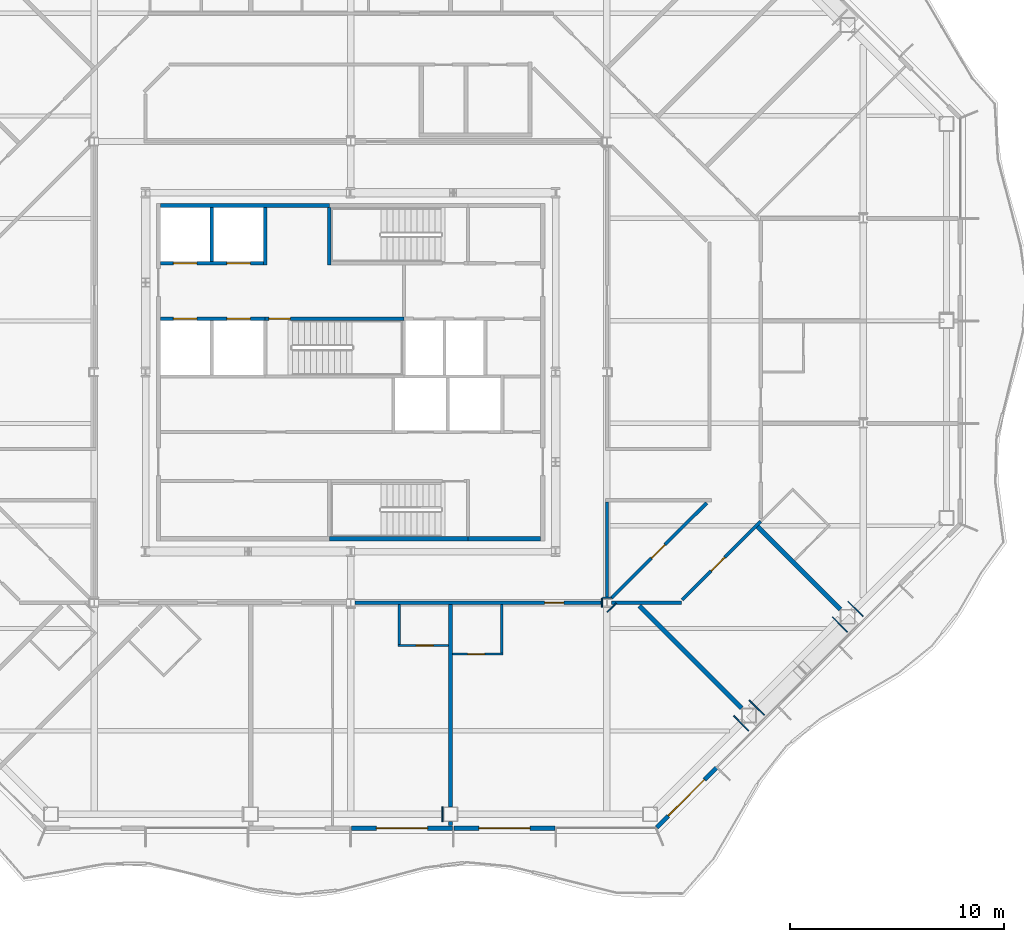
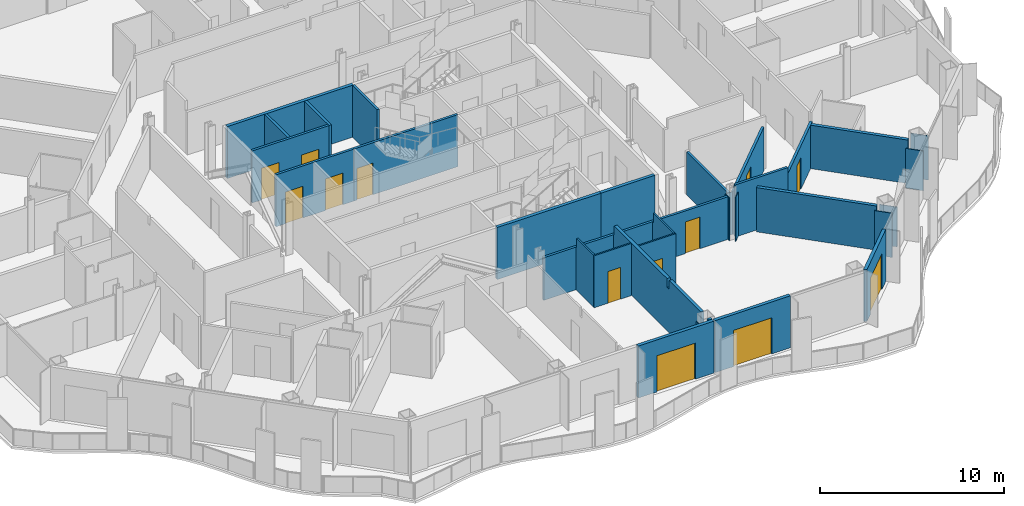
# One storey, part 9 of 22: 33 walls, 13 doors, 13 openings.
"""IFC4 building model written with IfcOpenShell, lengths in metres."""

from ifc_helpers import new_model, si_unit, direction, frame, frame_2d, origin, place, context, subcontext, project, spatial, polyline, rectangle, outline, extrude, material, layer, layer_set, type_object, element, fill, save


model = new_model("IFC4")

# Units and contexts
model_context = context("Model", 3, precision=1e-05, world=origin(), true_north=direction((0.0, 1.0)))
body_context = subcontext(model_context, "Body", "Model", "MODEL_VIEW")
ifc_project = project(units=[si_unit("LENGTHUNIT", "METRE"), si_unit("AREAUNIT", "SQUARE_METRE"), si_unit("VOLUMEUNIT", "CUBIC_METRE"), si_unit("PLANEANGLEUNIT", "RADIAN"), si_unit("MASSUNIT", "GRAM", prefix="KILO")], contexts=[model_context])

# Site, building, storey
site_placement = place(None, origin())
site = spatial("IfcSite", under=ifc_project, at=site_placement, CompositionType="ELEMENT")
building_placement = place(site_placement, origin())
building = spatial("IfcBuilding", under=site, at=building_placement, Name="Cairn Pilgrim Tower", CompositionType="ELEMENT")
storey_placement = place(building_placement, frame((0.0, 0.0, 147.0)))
storey = spatial("IfcBuildingStorey", under=building, at=storey_placement, Name="L36", CompositionType="ELEMENT", Elevation=147.0)

# Wall, opening, door
ifc_material_1 = material(Name="Bronze anodised aluminium insulated sandwich panel with mineral wool fill", Category="aluminium")
ifc_layer_1 = layer(ifc_material_1, 0.199951171875)
ifc_layer_set_1 = layer_set([ifc_layer_1], Name="BRONZE INFILL FRAME WALL 200")
wall_type_1 = type_object("IfcWallType", Name="BRONZE INFILL FRAME WALL 200", PredefinedType="NOTDEFINED", material=ifc_layer_set_1)
wall_1_placement = place(storey_placement, frame((7.22998046875, -18.949951171875, 0.0), z_axis=(0.0, 0.0, 1.0), x_axis=(1.0, 0.0, 0.0)))
wall_1 = element("IfcWall", 1, at=wall_1_placement, inside=storey, type_object=wall_type_1, Name="Bronze infill frame wall IW-S4", PredefinedType="NOTDEFINED", context=body_context, shape_type="SweptSolid", body=[
    extrude(rectangle(XDim=4.739990234375, YDim=0.199951171875, at=frame_2d((2.3701171875, 0.0))), origin(), (0.0, 0.0, 1.0), 3.449951171875),
])
opening_1_placement = place(wall_1_placement, frame((1.17041015625, 0.0, 0.0)))
opening_1 = element("IfcOpeningElement", 2, at=opening_1_placement, cuts=wall_1, Name="Opening 3620SB", PredefinedType="OPENING", context=body_context, shape_type="SweptSolid", body=[
    extrude(rectangle(XDim=2.39990234375, YDim=2.39990234375, at=frame_2d((1.199951171875, 1.199951171875))), frame((0.0, 0.10986328125, 0.0), z_axis=(0.0, -1.0, 0.0), x_axis=(1.0, 0.0, 0.0)), (0.0, 0.0, 1.0), 0.219970703125),
])
ifc_material_2 = material(Name="Bronze anodised aluminium frame with tinted low-E glass", Category="aluminium")
door_type_1 = type_object("IfcDoorType", Name="BALCONY SLIDING DOOR 2400x2400", OperationType="DOUBLE_DOOR_SLIDING", PredefinedType="DOOR", material=ifc_material_2)
door_1_placement = place(opening_1_placement, origin())
door_1 = element("IfcDoor", 3, at=door_1_placement, inside=storey, type_object=door_type_1, Name="Balcony sliding door 3620SB", OperationType="SINGLE_SWING_LEFT", OverallHeight=2.39990234375, OverallWidth=2.39990234375, PredefinedType="DOOR", context=body_context, shape_type="SweptSolid", body=[
    extrude(rectangle(XDim=2.39990234375, YDim=2.39990234375, at=frame_2d((1.199951171875, 1.199951171875))), frame((0.0, 0.02490234375, 0.0), z_axis=(0.0, -1.0, 0.0), x_axis=(1.0, 0.0, 0.0)), (0.0, 0.0, 1.0), 0.050048828125),
])
fill(opening_1, door_1)

wall_2_placement = place(storey_placement, frame((12.030029296875, -18.949951171875, 0.0), z_axis=(0.0, 0.0, 1.0), x_axis=(1.0, 0.0, 0.0)))
wall_2 = element("IfcWall", 4, at=wall_2_placement, inside=storey, type_object=wall_type_1, Name="Bronze infill frame wall IW-S5", PredefinedType="NOTDEFINED", context=body_context, shape_type="SweptSolid", body=[
    extrude(rectangle(XDim=4.739990234375, YDim=0.199951171875, at=frame_2d((2.3701171875, 0.0))), origin(), (0.0, 0.0, 1.0), 3.449951171875),
])
opening_2_placement = place(wall_2_placement, frame((1.169677734375, 0.0, 0.0)))
opening_2 = element("IfcOpeningElement", 5, at=opening_2_placement, cuts=wall_2, Name="Opening 3601B", PredefinedType="OPENING", context=body_context, shape_type="SweptSolid", body=[
    extrude(rectangle(XDim=2.39990234375, YDim=2.39990234375, at=frame_2d((1.199951171875, 1.199951171875))), frame((0.0, 0.10986328125, 0.0), z_axis=(0.0, -1.0, 0.0), x_axis=(1.0, 0.0, 0.0)), (0.0, 0.0, 1.0), 0.219970703125),
])
door_2_placement = place(opening_2_placement, origin())
door_2 = element("IfcDoor", 6, at=door_2_placement, inside=storey, type_object=door_type_1, Name="Balcony sliding door 3601B", OperationType="SINGLE_SWING_LEFT", OverallHeight=2.39990234375, OverallWidth=2.39990234375, PredefinedType="DOOR", context=body_context, shape_type="SweptSolid", body=[
    extrude(rectangle(XDim=2.39990234375, YDim=2.39990234375, at=frame_2d((1.199951171875, 1.199951171875))), frame((0.0, 0.02490234375, 0.0), z_axis=(0.0, -1.0, 0.0), x_axis=(1.0, 0.0, 0.0)), (0.0, 0.0, 1.0), 0.050048828125),
])
fill(opening_2, door_2)

wall_3_placement = place(storey_placement, frame((21.524658203125, -18.921630859375, 0.0), z_axis=(0.0, 0.0, 1.0), x_axis=(0.707137595296, 0.707075965734, 0.0)))
wall_3 = element("IfcWall", 7, at=wall_3_placement, inside=storey, type_object=wall_type_1, Name="Bronze infill frame wall IW-SE1", PredefinedType="NOTDEFINED", context=body_context, shape_type="SweptSolid", body=[
    extrude(rectangle(XDim=3.96142578125, YDim=0.199951171875, at=frame_2d((1.980712890625, 0.0))), origin(), (0.0, 0.0, 1.0), 3.449951171875),
])
opening_3_placement = place(wall_3_placement, frame((0.775390625, 0.0, 0.0)))
opening_3 = element("IfcOpeningElement", 8, at=opening_3_placement, cuts=wall_3, Name="Opening 3601B2", PredefinedType="OPENING", context=body_context, shape_type="SweptSolid", body=[
    extrude(rectangle(XDim=2.39990234375, YDim=2.39990234375, at=frame_2d((1.199951171875, 1.199951171875))), frame((0.0, 0.10986328125, 0.0), z_axis=(0.0, -1.0, 0.0), x_axis=(1.0, 0.0, 0.0)), (0.0, 0.0, 1.0), 0.219970703125),
])
door_3_placement = place(opening_3_placement, origin())
door_3 = element("IfcDoor", 9, at=door_3_placement, inside=storey, type_object=door_type_1, Name="Balcony sliding door 3601B2", OperationType="SINGLE_SWING_LEFT", OverallHeight=2.39990234375, OverallWidth=2.39990234375, PredefinedType="DOOR", context=body_context, shape_type="SweptSolid", body=[
    extrude(rectangle(XDim=2.39990234375, YDim=2.39990234375, at=frame_2d((1.199951171875, 1.199951171875))), frame((0.0, 0.02490234375, 0.0), z_axis=(0.0, -1.0, 0.0), x_axis=(1.0, 0.0, 0.0)), (0.0, 0.0, 1.0), 0.050048828125),
])
fill(opening_3, door_3)

# Walls
ifc_material_3 = material(Name="Concrete C32/40", Category="concrete")
ifc_layer_2 = layer(ifc_material_3, 0.199951171875)
ifc_layer_set_2 = layer_set([ifc_layer_2], Name="CORE OUTER WALL 200 EI 120")
wall_type_2 = type_object("IfcWallType", Name="CORE OUTER WALL 200 EI 120", PredefinedType="SOLIDWALL", material=ifc_layer_set_2)
wall_4_placement = place(storey_placement, frame((12.699951171875, -5.39990234375, 0.0), z_axis=(0.0, 0.0, 1.0), x_axis=(1.0, 0.0, 0.0)))
element("IfcWall", 10, at=wall_4_placement, inside=storey, type_object=wall_type_2, Name="CW:L36:H01-3", PredefinedType="SOLIDWALL", context=body_context, shape_type="SweptSolid", body=[
    extrude(rectangle(XDim=3.400146484375, YDim=0.199951171875, at=frame_2d((1.7001953125, 0.0))), origin(), (0.0, 0.0, 1.0), 3.449951171875),
])
wall_5_placement = place(storey_placement, frame((-1.699951171875, 10.199951171875, 0.0), z_axis=(0.0, 0.0, 1.0), x_axis=(1.0, 0.0, 0.0)))
element("IfcWall", 11, at=wall_5_placement, inside=storey, type_object=wall_type_2, Name="CW:L36:H12-1", PredefinedType="SOLIDWALL", context=body_context, shape_type="SweptSolid", body=[
    extrude(rectangle(XDim=7.89990234375, YDim=0.199951171875, at=frame_2d((3.949951171875, 0.0))), origin(), (0.0, 0.0, 1.0), 3.449951171875),
])

# Wall, openings, doors
ifc_layer_3 = layer(ifc_material_3, 0.14990234375)
ifc_layer_set_3 = layer_set([ifc_layer_3], Name="CORE SHAFT WALL 150 EI 120")
wall_type_3 = type_object("IfcWallType", Name="CORE SHAFT WALL 150 EI 120", PredefinedType="SOLIDWALL", material=ifc_layer_set_3)
wall_6_placement = place(storey_placement, frame((-1.699951171875, 4.89990234375, 0.0), z_axis=(0.0, 0.0, 1.0), x_axis=(1.0, 0.0, 0.0)))
wall_6 = element("IfcWall", 12, at=wall_6_placement, inside=storey, type_object=wall_type_3, Name="CW:L36:H09-1", PredefinedType="SOLIDWALL", context=body_context, shape_type="SweptSolid", body=[
    extrude(rectangle(XDim=4.89990234375, YDim=0.14990234375, at=frame_2d((2.449951171875, 0.0))), origin(), (0.0, 0.0, 1.0), 3.449951171875),
])
opening_4_placement = place(wall_6_placement, frame((0.60009765625, 0.0, 0.0)))
opening_4 = element("IfcOpeningElement", 13, at=opening_4_placement, cuts=wall_6, Name="Opening LD-HR1", PredefinedType="OPENING", context=body_context, shape_type="SweptSolid", body=[
    extrude(rectangle(XDim=1.10009765625, YDim=2.10009765625, at=frame_2d((0.550048828125, 1.050048828125))), frame((0.0, 0.0849609375, 0.0), z_axis=(0.0, -1.0, 0.0), x_axis=(1.0, 0.0, 0.0)), (0.0, 0.0, 1.0), 0.169921875),
])
opening_5_placement = place(wall_6_placement, frame((3.10009765625, 0.0, 0.0)))
opening_5 = element("IfcOpeningElement", 14, at=opening_5_placement, cuts=wall_6, Name="Opening LD-HR2", PredefinedType="OPENING", context=body_context, shape_type="SweptSolid", body=[
    extrude(rectangle(XDim=1.10009765625, YDim=2.10009765625, at=frame_2d((0.550048828125, 1.050048828125))), frame((0.0, 0.0849609375, 0.0), z_axis=(0.0, -1.0, 0.0), x_axis=(1.0, 0.0, 0.0)), (0.0, 0.0, 1.0), 0.169921875),
])
ifc_material_4 = material(Name="Stainless steel", Category="steel")
door_type_2 = type_object("IfcDoorType", Name="LIFT LANDING DOOR 1100x2100", OperationType="DOUBLE_DOOR_SLIDING", PredefinedType="DOOR", material=ifc_material_4)
door_4_placement = place(opening_4_placement, origin())
door_4 = element("IfcDoor", 15, at=door_4_placement, inside=storey, type_object=door_type_2, Name="LANDING DOOR HR1", OperationType="DOUBLE_DOOR_SLIDING", OverallHeight=2.10009765625, OverallWidth=1.10009765625, PredefinedType="DOOR", context=body_context, shape_type="SweptSolid", body=[
    extrude(rectangle(XDim=1.10009765625, YDim=2.10009765625, at=frame_2d((0.550048828125, 1.050048828125))), frame((0.0, 0.02490234375, 0.0), z_axis=(0.0, -1.0, 0.0), x_axis=(1.0, 0.0, 0.0)), (0.0, 0.0, 1.0), 0.050048828125),
])
fill(opening_4, door_4)
door_5_placement = place(opening_5_placement, origin())
door_5 = element("IfcDoor", 16, at=door_5_placement, inside=storey, type_object=door_type_2, Name="LANDING DOOR HR2", OperationType="DOUBLE_DOOR_SLIDING", OverallHeight=2.10009765625, OverallWidth=1.10009765625, PredefinedType="DOOR", context=body_context, shape_type="SweptSolid", body=[
    extrude(rectangle(XDim=1.10009765625, YDim=2.10009765625, at=frame_2d((0.550048828125, 1.050048828125))), frame((0.0, 0.02490234375, 0.0), z_axis=(0.0, -1.0, 0.0), x_axis=(1.0, 0.0, 0.0)), (0.0, 0.0, 1.0), 0.050048828125),
])
fill(opening_5, door_5)

wall_7_placement = place(storey_placement, frame((-1.699951171875, 7.5, 0.0), z_axis=(0.0, 0.0, 1.0), x_axis=(1.0, 0.0, 0.0)))
wall_7 = element("IfcWall", 17, at=wall_7_placement, inside=storey, type_object=wall_type_3, Name="CW:L36:H10", PredefinedType="SOLIDWALL", context=body_context, shape_type="SweptSolid", body=[
    extrude(rectangle(XDim=4.824951171875, YDim=0.14990234375, at=frame_2d((2.41259765625, 0.0))), origin(), (0.0, 0.0, 1.0), 3.449951171875),
])
opening_6_placement = place(wall_7_placement, frame((0.60009765625, 0.0, 0.0)))
opening_6 = element("IfcOpeningElement", 18, at=opening_6_placement, cuts=wall_7, Name="Opening LD-HR3", PredefinedType="OPENING", context=body_context, shape_type="SweptSolid", body=[
    extrude(rectangle(XDim=1.10009765625, YDim=2.10009765625, at=frame_2d((0.550048828125, 1.050048828125))), frame((0.0, 0.0849609375, 0.0), z_axis=(0.0, -1.0, 0.0), x_axis=(1.0, 0.0, 0.0)), (0.0, 0.0, 1.0), 0.169921875),
])
opening_7_placement = place(wall_7_placement, frame((3.10009765625, 0.0, 0.0)))
opening_7 = element("IfcOpeningElement", 19, at=opening_7_placement, cuts=wall_7, Name="Opening LD-HR4", PredefinedType="OPENING", context=body_context, shape_type="SweptSolid", body=[
    extrude(rectangle(XDim=1.10009765625, YDim=2.10009765625, at=frame_2d((0.550048828125, 1.050048828125))), frame((0.0, 0.0849609375, 0.0), z_axis=(0.0, -1.0, 0.0), x_axis=(1.0, 0.0, 0.0)), (0.0, 0.0, 1.0), 0.169921875),
])
door_6_placement = place(opening_6_placement, origin())
door_6 = element("IfcDoor", 20, at=door_6_placement, inside=storey, type_object=door_type_2, Name="LANDING DOOR HR3", OperationType="DOUBLE_DOOR_SLIDING", OverallHeight=2.10009765625, OverallWidth=1.10009765625, PredefinedType="DOOR", context=body_context, shape_type="SweptSolid", body=[
    extrude(rectangle(XDim=1.10009765625, YDim=2.10009765625, at=frame_2d((0.550048828125, 1.050048828125))), frame((0.0, 0.02490234375, 0.0), z_axis=(0.0, -1.0, 0.0), x_axis=(1.0, 0.0, 0.0)), (0.0, 0.0, 1.0), 0.050048828125),
])
fill(opening_6, door_6)
door_7_placement = place(opening_7_placement, origin())
door_7 = element("IfcDoor", 21, at=door_7_placement, inside=storey, type_object=door_type_2, Name="LANDING DOOR HR4", OperationType="DOUBLE_DOOR_SLIDING", OverallHeight=2.10009765625, OverallWidth=1.10009765625, PredefinedType="DOOR", context=body_context, shape_type="SweptSolid", body=[
    extrude(rectangle(XDim=1.10009765625, YDim=2.10009765625, at=frame_2d((0.550048828125, 1.050048828125))), frame((0.0, 0.02490234375, 0.0), z_axis=(0.0, -1.0, 0.0), x_axis=(1.0, 0.0, 0.0)), (0.0, 0.0, 1.0), 0.050048828125),
])
fill(opening_7, door_7)

# Walls
wall_8_placement = place(storey_placement, frame((0.699951171875, 7.574951171875, 0.0), z_axis=(0.0, 0.0, 1.0), x_axis=(0.0, 1.0, 0.0)))
element("IfcWall", 22, at=wall_8_placement, inside=storey, type_object=wall_type_3, Name="CW:L36:V15", PredefinedType="SOLIDWALL", context=body_context, shape_type="SweptSolid", body=[
    extrude(rectangle(XDim=2.525146484375, YDim=0.14990234375, at=frame_2d((1.2626953125, 0.0))), origin(), (0.0, 0.0, 1.0), 3.449951171875),
])
wall_9_placement = place(storey_placement, frame((3.199951171875, 7.425048828125, 0.0), z_axis=(0.0, 0.0, 1.0), x_axis=(0.0, 1.0, 0.0)))
element("IfcWall", 23, at=wall_9_placement, inside=storey, type_object=wall_type_3, Name="CW:L36:V17", PredefinedType="SOLIDWALL", context=body_context, shape_type="SweptSolid", body=[
    extrude(rectangle(XDim=2.675048828125, YDim=0.14990234375, at=frame_2d((1.33740234375, 0.0))), origin(), (0.0, 0.0, 1.0), 3.449951171875),
])

# Wall, opening, door
ifc_material_5 = material(Name="Gypsum partition")
ifc_layer_4 = layer(ifc_material_5, 0.10009765625)
ifc_layer_set_4 = layer_set([ifc_layer_4], Name="PARTITION 100 DRYWALL")
wall_type_4 = type_object("IfcWallType", Name="PARTITION 100 DRYWALL", PredefinedType="PARTITIONING", material=ifc_layer_set_4)
wall_10_placement = place(storey_placement, frame((11.97607421875, -10.800048828125, 0.0), z_axis=(0.0, 0.0, 1.0), x_axis=(1.0, 0.0, 0.0)))
wall_10 = element("IfcWall", 24, at=wall_10_placement, inside=storey, type_object=wall_type_4, Name="PARTITION W013", PredefinedType="PARTITIONING", context=body_context, shape_type="SweptSolid", body=[
    extrude(rectangle(XDim=2.349853515625, YDim=0.10009765625, at=frame_2d((1.1748046875, 0.0))), origin(), (0.0, 0.0, 1.0), 3.449951171875),
])
opening_8_placement = place(wall_10_placement, frame((0.699951171875, 0.0, 0.0)))
opening_8 = element("IfcOpeningElement", 25, at=opening_8_placement, cuts=wall_10, Name="Opening 3601A", PredefinedType="OPENING", context=body_context, shape_type="SweptSolid", body=[
    extrude(rectangle(XDim=0.800048828125, YDim=2.10009765625, at=frame_2d((0.39990234375, 1.050048828125))), frame((0.0, 0.06005859375, 0.0), z_axis=(0.0, -1.0, 0.0), x_axis=(1.0, 0.0, 0.0)), (0.0, 0.0, 1.0), 0.1201171875),
])
ifc_material_6 = material(Name="Timber door leaf", Category="wood")
door_type_3 = type_object("IfcDoorType", Name="WC DOOR 800x2100", OperationType="NOTDEFINED", PredefinedType="DOOR", material=ifc_material_6)
door_8_placement = place(opening_8_placement, frame((0.800048828125, 0.0, 0.0), z_axis=(0.0, 0.0, 1.0), x_axis=(-1.0, 0.0, 0.0)))
door_8 = element("IfcDoor", 26, at=door_8_placement, inside=storey, type_object=door_type_3, Name="DOOR 3601A", OperationType="SINGLE_SWING_LEFT", OverallHeight=2.10009765625, OverallWidth=0.800048828125, PredefinedType="DOOR", context=body_context, shape_type="SweptSolid", body=[
    extrude(rectangle(XDim=0.800048828125, YDim=2.10009765625, at=frame_2d((0.39990234375, 1.050048828125))), frame((0.0, 0.02490234375, 0.0), z_axis=(0.0, -1.0, 0.0), x_axis=(1.0, 0.0, 0.0)), (0.0, 0.0, 1.0), 0.050048828125),
])
fill(opening_8, door_8)

# Wall
wall_11_placement = place(storey_placement, frame((14.27587890625, -10.75, 0.0), z_axis=(0.0, 0.0, 1.0), x_axis=(0.0, 1.0, 0.0)))
element("IfcWall", 27, at=wall_11_placement, inside=storey, type_object=wall_type_4, Name="PARTITION W014", PredefinedType="PARTITIONING", context=body_context, shape_type="SweptSolid", body=[
    extrude(outline(polyline([(0.0, 0.0), (2.27490234375, 0.0), (2.27490234375, 2.830078125), (2.199951171875, 2.830078125), (2.197998046875, 3.449951171875), (0.0, 3.449951171875), (0.0, 0.0)])), frame((0.0, 0.050048828125, 0.0), z_axis=(0.0, -1.0, 0.0), x_axis=(1.0, 0.0, 0.0)), (0.0, 0.0, 1.0), 0.10009765625),
])

# Wall, opening, door
wall_12_placement = place(storey_placement, frame((9.426025390625, -10.39990234375, 0.0), z_axis=(0.0, 0.0, 1.0), x_axis=(1.0, 0.0, 0.0)))
wall_12 = element("IfcWall", 28, at=wall_12_placement, inside=storey, type_object=wall_type_4, Name="PARTITION W016", PredefinedType="PARTITIONING", context=body_context, shape_type="SweptSolid", body=[
    extrude(rectangle(XDim=2.349853515625, YDim=0.10009765625, at=frame_2d((1.1748046875, 0.0))), origin(), (0.0, 0.0, 1.0), 3.449951171875),
])
opening_9_placement = place(wall_12_placement, frame((0.85009765625, 0.0, 0.0)))
opening_9 = element("IfcOpeningElement", 29, at=opening_9_placement, cuts=wall_12, Name="Opening 3620A", PredefinedType="OPENING", context=body_context, shape_type="SweptSolid", body=[
    extrude(rectangle(XDim=0.800048828125, YDim=2.10009765625, at=frame_2d((0.39990234375, 1.050048828125))), frame((0.0, 0.06005859375, 0.0), z_axis=(0.0, -1.0, 0.0), x_axis=(1.0, 0.0, 0.0)), (0.0, 0.0, 1.0), 0.1201171875),
])
door_9_placement = place(opening_9_placement, frame((0.800048828125, 0.0, 0.0), z_axis=(0.0, 0.0, 1.0), x_axis=(-1.0, 0.0, 0.0)))
door_9 = element("IfcDoor", 30, at=door_9_placement, inside=storey, type_object=door_type_3, Name="DOOR 3620A", OperationType="SINGLE_SWING_LEFT", OverallHeight=2.10009765625, OverallWidth=0.800048828125, PredefinedType="DOOR", context=body_context, shape_type="SweptSolid", body=[
    extrude(rectangle(XDim=0.800048828125, YDim=2.10009765625, at=frame_2d((0.39990234375, 1.050048828125))), frame((0.0, 0.02490234375, 0.0), z_axis=(0.0, -1.0, 0.0), x_axis=(1.0, 0.0, 0.0)), (0.0, 0.0, 1.0), 0.050048828125),
])
fill(opening_9, door_9)

# Wall
wall_13_placement = place(storey_placement, frame((9.47607421875, -10.35009765625, 0.0), z_axis=(0.0, 0.0, 1.0), x_axis=(0.0, 1.0, 0.0)))
element("IfcWall", 31, at=wall_13_placement, inside=storey, type_object=wall_type_4, Name="PARTITION W017", PredefinedType="PARTITIONING", context=body_context, shape_type="SweptSolid", body=[
    extrude(outline(polyline([(0.0, 0.0), (1.875, 0.0), (1.875, 2.830078125), (1.800048828125, 2.830078125), (1.798095703125, 3.449951171875), (0.0, 3.449951171875), (0.0, 0.0)])), frame((0.0, 0.050048828125, 0.0), z_axis=(0.0, -1.0, 0.0), x_axis=(1.0, 0.0, 0.0)), (0.0, 0.0, 1.0), 0.10009765625),
])

# Wall, opening, door
ifc_layer_5 = layer(ifc_material_5, 0.14990234375)
ifc_layer_set_5 = layer_set([ifc_layer_5], Name="PARTITION 150 DRYWALL EI 60")
wall_type_5 = type_object("IfcWallType", Name="PARTITION 150 DRYWALL EI 60", PredefinedType="PARTITIONING", material=ifc_layer_set_5)
wall_14_placement = place(storey_placement, frame((7.404541015625, -8.39990234375, 0.0), z_axis=(0.0, 0.0, 1.0), x_axis=(1.0, 0.0, 0.0)))
wall_14 = element("IfcWall", 32, at=wall_14_placement, inside=storey, type_object=wall_type_5, Name="PARTITION W025", PredefinedType="PARTITIONING", context=body_context, shape_type="SweptSolid", body=[
    extrude(rectangle(XDim=11.591064453125, YDim=0.14990234375, at=frame_2d((5.79541015625, 0.0))), origin(), (0.0, 0.0, 1.0), 2.830078125),
])
opening_10_placement = place(wall_14_placement, frame((8.883544921875, 0.0, 0.0)))
opening_10 = element("IfcOpeningElement", 33, at=opening_10_placement, cuts=wall_14, Name="Opening 3601", PredefinedType="OPENING", context=body_context, shape_type="SweptSolid", body=[
    extrude(rectangle(XDim=0.89990234375, YDim=2.10009765625, at=frame_2d((0.449951171875, 1.050048828125))), frame((0.0, 0.0849609375, 0.0), z_axis=(0.0, -1.0, 0.0), x_axis=(1.0, 0.0, 0.0)), (0.0, 0.0, 1.0), 0.169921875),
])
door_type_4 = type_object("IfcDoorType", Name="ROOM DOOR 900x2100 FD30S", OperationType="NOTDEFINED", PredefinedType="DOOR", material=ifc_material_6)
door_10_placement = place(opening_10_placement, frame((0.89990234375, 0.0, 0.0), z_axis=(0.0, 0.0, 1.0), x_axis=(-1.0, 0.0, 0.0)))
door_10 = element("IfcDoor", 34, at=door_10_placement, inside=storey, type_object=door_type_4, Name="DOOR 3601", OperationType="SINGLE_SWING_LEFT", OverallHeight=2.10009765625, OverallWidth=0.89990234375, PredefinedType="DOOR", context=body_context, shape_type="SweptSolid", body=[
    extrude(rectangle(XDim=0.89990234375, YDim=2.10009765625, at=frame_2d((0.449951171875, 1.050048828125))), frame((0.0, 0.02490234375, 0.0), z_axis=(0.0, -1.0, 0.0), x_axis=(1.0, 0.0, 0.0)), (0.0, 0.0, 1.0), 0.050048828125),
])
fill(opening_10, door_10)

# Wall
wall_15_placement = place(storey_placement, frame((19.404541015625, -8.39990234375, 0.0), z_axis=(0.0, 0.0, 1.0), x_axis=(1.0, 0.0, 0.0)))
element("IfcWall", 35, at=wall_15_placement, inside=storey, type_object=wall_type_5, Name="PARTITION W026", PredefinedType="PARTITIONING", context=body_context, shape_type="SweptSolid", body=[
    extrude(rectangle(XDim=3.29541015625, YDim=0.14990234375, at=frame_2d((1.647705078125, 0.0))), origin(), (0.0, 0.0, 1.0), 3.449951171875),
])

# Wall, opening, door
wall_16_placement = place(storey_placement, frame((22.721923828125, -8.27197265625, 0.0), z_axis=(0.0, 0.0, 1.0), x_axis=(0.707106781187, 0.707106781187, 0.0)))
wall_16 = element("IfcWall", 36, at=wall_16_placement, inside=storey, type_object=wall_type_5, Name="PARTITION W028", PredefinedType="PARTITIONING", context=body_context, shape_type="SweptSolid", body=[
    extrude(rectangle(XDim=5.201416015625, YDim=0.14990234375, at=frame_2d((2.6005859375, 0.0))), origin(), (0.0, 0.0, 1.0), 2.8798828125),
])
opening_11_placement = place(wall_16_placement, frame((1.92529296875, 0.0, 0.0)))
opening_11 = element("IfcOpeningElement", 37, at=opening_11_placement, cuts=wall_16, Name="Opening 3602", PredefinedType="OPENING", context=body_context, shape_type="SweptSolid", body=[
    extrude(rectangle(XDim=0.89990234375, YDim=2.10009765625, at=frame_2d((0.449951171875, 1.050048828125))), frame((0.0, 0.0849609375, 0.0), z_axis=(0.0, -1.0, 0.0), x_axis=(1.0, 0.0, 0.0)), (0.0, 0.0, 1.0), 0.169921875),
])
door_type_5 = type_object("IfcDoorType", Name="SERVICE DOOR 900x2100 FD30S", OperationType="NOTDEFINED", PredefinedType="DOOR", material=ifc_material_6)
door_11_placement = place(opening_11_placement, frame((0.89990234375, 0.0, 0.0), z_axis=(0.0, 0.0, 1.0), x_axis=(-1.0, 0.0, 0.0)))
door_11 = element("IfcDoor", 38, at=door_11_placement, inside=storey, type_object=door_type_5, Name="DOOR 3602", OperationType="SINGLE_SWING_LEFT", OverallHeight=2.10009765625, OverallWidth=0.89990234375, PredefinedType="DOOR", context=body_context, shape_type="SweptSolid", body=[
    extrude(rectangle(XDim=0.89990234375, YDim=2.10009765625, at=frame_2d((0.449951171875, 1.050048828125))), frame((0.0, 0.02490234375, 0.0), z_axis=(0.0, -1.0, 0.0), x_axis=(1.0, 0.0, 0.0)), (0.0, 0.0, 1.0), 0.050048828125),
])
fill(opening_11, door_11)

# Wall
wall_17_placement = place(storey_placement, frame((19.199951171875, -8.1875, 0.0), z_axis=(0.0, 0.0, 1.0), x_axis=(0.0, 1.0, 0.0)))
element("IfcWall", 39, at=wall_17_placement, inside=storey, type_object=wall_type_5, Name="PARTITION W031", PredefinedType="PARTITIONING", context=body_context, shape_type="SweptSolid", body=[
    extrude(rectangle(XDim=4.512451171875, YDim=0.14990234375, at=frame_2d((2.25634765625, 0.0))), origin(), (0.0, 0.0, 1.0), 2.830078125),
])

# Wall, opening, door
wall_18_placement = place(storey_placement, frame((19.408447265625, -8.19140625, 0.0), z_axis=(0.0, 0.0, 1.0), x_axis=(0.707126119272, 0.707087442572, 0.0)))
wall_18 = element("IfcWall", 40, at=wall_18_placement, inside=storey, type_object=wall_type_5, Name="PARTITION W032", PredefinedType="PARTITIONING", context=body_context, shape_type="SweptSolid", body=[
    extrude(rectangle(XDim=6.312255859375, YDim=0.14990234375, at=frame_2d((3.15625, 0.0))), origin(), (0.0, 0.0, 1.0), 2.8798828125),
])
opening_12_placement = place(wall_18_placement, frame((2.649169921875, 0.0, 0.0)))
opening_12 = element("IfcOpeningElement", 41, at=opening_12_placement, cuts=wall_18, Name="Opening 3625", PredefinedType="OPENING", context=body_context, shape_type="SweptSolid", body=[
    extrude(rectangle(XDim=0.89990234375, YDim=2.10009765625, at=frame_2d((0.449951171875, 1.050048828125))), frame((0.0, 0.0849609375, 0.0), z_axis=(0.0, -1.0, 0.0), x_axis=(1.0, 0.0, 0.0)), (0.0, 0.0, 1.0), 0.169921875),
])
door_12_placement = place(opening_12_placement, origin())
door_12 = element("IfcDoor", 42, at=door_12_placement, inside=storey, type_object=door_type_5, Name="DOOR 3625", OperationType="SINGLE_SWING_LEFT", OverallHeight=2.10009765625, OverallWidth=0.89990234375, PredefinedType="DOOR", context=body_context, shape_type="SweptSolid", body=[
    extrude(rectangle(XDim=0.89990234375, YDim=2.10009765625, at=frame_2d((0.449951171875, 1.050048828125))), frame((0.0, 0.02490234375, 0.0), z_axis=(0.0, -1.0, 0.0), x_axis=(1.0, 0.0, 0.0)), (0.0, 0.0, 1.0), 0.050048828125),
])
fill(opening_12, door_12)

# Walls
ifc_layer_6 = layer(ifc_material_5, 0.050048828125)
ifc_layer_set_6 = layer_set([ifc_layer_6], Name="PARTITION 50 DRYWALL EI 60")
wall_type_6 = type_object("IfcWallType", Name="PARTITION 50 DRYWALL EI 60", PredefinedType="PARTITIONING", material=ifc_layer_set_6)
wall_19_placement = place(storey_placement, frame((11.500732421875, -18.64990234375, 0.0), z_axis=(0.0, 0.0, 1.0), x_axis=(0.0, 1.0, 0.0)))
element("IfcWall", 43, at=wall_19_placement, inside=storey, type_object=wall_type_6, Name="COLUMN CASING WC02", PredefinedType="PARTITIONING", context=body_context, shape_type="SweptSolid", body=[
    extrude(rectangle(XDim=0.699951171875, YDim=0.050048828125, at=frame_2d((0.35009765625, 0.0))), origin(), (0.0, 0.0, 1.0), 2.929931640625),
])
wall_20_placement = place(storey_placement, frame((25.833740234375, -14.393310546875, 0.0), z_axis=(0.0, 0.0, 1.0), x_axis=(-0.707106781187, 0.707106781187, 0.0)))
element("IfcWall", 44, at=wall_20_placement, inside=storey, type_object=wall_type_6, Name="COLUMN CASING WC05", PredefinedType="PARTITIONING", context=body_context, shape_type="SweptSolid", body=[
    extrude(rectangle(XDim=0.989990234375, YDim=0.050048828125, at=frame_2d((0.4951171875, 0.0))), origin(), (0.0, 0.0, 1.0), 2.929931640625),
])
for number, where, z_axis, x_axis, name in (
    (45, (26.569091796875, -13.657958984375, 0.0), (0.0, 0.0, 1.0), (-0.707106781187, 0.707106781187, 0.0), "COLUMN CASING WC06"),
    (46, (30.4580078125, -9.769287109375, 0.0), (0.0, 0.0, 1.0), (-0.706983473703, 0.707230067171, 0.0), "COLUMN CASING WC08"),
):
    element("IfcWall", number, at=place(storey_placement, frame(where, z_axis=z_axis, x_axis=x_axis)), inside=storey, type_object=wall_type_6, Name=name, PredefinedType="PARTITIONING", context=body_context, shape_type="SweptSolid", body=[
        extrude(rectangle(XDim=0.989990234375, YDim=0.050048828125, at=frame_2d((0.4951171875, 0.0))), origin(), (0.0, 0.0, 1.0), 2.6298828125),
    ])
wall_21_placement = place(storey_placement, frame((31.193359375, -9.03369140625, 0.0), z_axis=(0.0, 0.0, 1.0), x_axis=(-0.707106781187, 0.707106781187, 0.0)))
element("IfcWall", 47, at=wall_21_placement, inside=storey, type_object=wall_type_6, Name="COLUMN CASING WC09", PredefinedType="PARTITIONING", context=body_context, shape_type="SweptSolid", body=[
    extrude(rectangle(XDim=0.989990234375, YDim=0.050048828125, at=frame_2d((0.4951171875, 0.0))), origin(), (0.0, 0.0, 1.0), 2.929931640625),
])
wall_22_placement = place(storey_placement, frame((18.99560546875, -8.16259765625, 0.0), z_axis=(0.0, 0.0, 1.0), x_axis=(1.0, 0.0, 0.0)))
element("IfcWall", 48, at=wall_22_placement, inside=storey, type_object=wall_type_6, Name="COLUMN CASING WC12", PredefinedType="PARTITIONING", context=body_context, shape_type="SweptSolid", body=[
    extrude(rectangle(XDim=0.408935546875, YDim=0.050048828125, at=frame_2d((0.20458984375, 0.0))), origin(), (0.0, 0.0, 1.0), 2.830078125),
])
wall_23_placement = place(storey_placement, frame((18.970458984375, -8.612548828125, 0.0), z_axis=(0.0, 0.0, 1.0), x_axis=(0.0, 1.0, 0.0)))
element("IfcWall", 49, at=wall_23_placement, inside=storey, type_object=wall_type_6, Name="COLUMN CASING WC15", PredefinedType="PARTITIONING", context=body_context, shape_type="SweptSolid", body=[
    extrude(rectangle(XDim=0.425048828125, YDim=0.050048828125, at=frame_2d((0.21240234375, 0.0))), origin(), (0.0, 0.0, 1.0), 2.830078125),
])
wall_24_placement = place(storey_placement, frame((19.2177734375, -8.834716796875, 0.0), z_axis=(0.0, 0.0, 1.0), x_axis=(0.707106781187, 0.707106781187, 0.0)))
element("IfcWall", 50, at=wall_24_placement, inside=storey, type_object=wall_type_6, Name="COLUMN CASING WC16", PredefinedType="PARTITIONING", context=body_context, shape_type="SweptSolid", body=[
    extrude(rectangle(XDim=0.589599609375, YDim=0.050048828125, at=frame_2d((0.294921875, 0.0))), origin(), (0.0, 0.0, 1.0), 2.929931640625),
])
ifc_layer_7 = layer(ifc_material_5, 0.199951171875)
ifc_layer_set_7 = layer_set([ifc_layer_7], Name="SHAFT WALL 200 GYPSUM EI 60")
wall_type_7 = type_object("IfcWallType", Name="SHAFT WALL 200 GYPSUM EI 60", PredefinedType="PARTITIONING", material=ifc_layer_set_7)
wall_25_placement = place(storey_placement, frame((11.8759765625, -18.820068359375, 0.0), z_axis=(0.0, 0.0, 1.0), x_axis=(0.0, 1.0, 0.0)))
element("IfcWall", 51, at=wall_25_placement, inside=storey, type_object=wall_type_7, Name="PARTITION W003", PredefinedType="PARTITIONING", context=body_context, shape_type="SweptSolid", body=[
    extrude(rectangle(XDim=0.170166015625, YDim=0.199951171875, at=frame_2d((0.0849609375, 0.0))), origin(), (0.0, 0.0, 1.0), 3.449951171875),
])
wall_26_placement = place(storey_placement, frame((11.8759765625, -17.949951171875, 0.0), z_axis=(0.0, 0.0, 1.0), x_axis=(0.0, 1.0, 0.0)))
element("IfcWall", 52, at=wall_26_placement, inside=storey, type_object=wall_type_7, Name="PARTITION W005", PredefinedType="PARTITIONING", context=body_context, shape_type="SweptSolid", body=[
    extrude(outline(polyline([(0.0, 0.0), (9.474853515625, 0.0), (9.47509765625, 2.830078125), (9.39990234375, 2.830078125), (9.39794921875, 3.449951171875), (3.655029296875, 3.449951171875), (3.653076171875, 2.8798828125), (3.445068359375, 2.8798828125), (3.443115234375, 3.449951171875), (0.0, 3.449951171875), (0.0, 0.0)])), frame((0.0, 0.10009765625, 0.0), z_axis=(0.0, -1.0, 0.0), x_axis=(1.0, 0.0, 0.0)), (0.0, 0.0, 1.0), 0.199951171875),
])
wall_27_placement = place(storey_placement, frame((25.501708984375, -13.32568359375, 0.0), z_axis=(0.0, 0.0, 1.0), x_axis=(-0.707106781187, 0.707106781187, 0.0)))
element("IfcWall", 53, at=wall_27_placement, inside=storey, type_object=wall_type_7, Name="PARTITION W008", PredefinedType="PARTITIONING", context=body_context, shape_type="SweptSolid", body=[
    extrude(rectangle(XDim=6.760009765625, YDim=0.199951171875, at=frame_2d((3.3798828125, 0.0))), origin(), (0.0, 0.0, 1.0), 2.929931640625),
])
wall_28_placement = place(storey_placement, frame((30.12548828125, -8.70166015625, 0.0), z_axis=(0.0, 0.0, 1.0), x_axis=(-0.707084440093, 0.707129121574, 0.0)))
element("IfcWall", 54, at=wall_28_placement, inside=storey, type_object=wall_type_7, Name="PARTITION W022", PredefinedType="PARTITIONING", context=body_context, shape_type="SweptSolid", body=[
    extrude(rectangle(XDim=5.464111328125, YDim=0.199951171875, at=frame_2d((2.73193359375, 0.0))), origin(), (0.0, 0.0, 1.0), 2.8798828125),
])

# Wall, opening, door
ifc_material_7 = material(Name="Concrete C35/45", Category="concrete")
ifc_layer_8 = layer(ifc_material_7, 0.14990234375)
ifc_layer_set_8 = layer_set([ifc_layer_8], Name="STAIR SHAFT WALL 150 EI 120")
wall_type_8 = type_object("IfcWallType", Name="STAIR SHAFT WALL 150 EI 120", PredefinedType="SOLIDWALL", material=ifc_layer_set_8)
wall_29_placement = place(storey_placement, frame((3.199951171875, 4.89990234375, 0.0), z_axis=(0.0, 0.0, 1.0), x_axis=(1.0, 0.0, 0.0)))
wall_29 = element("IfcWall", 55, at=wall_29_placement, inside=storey, type_object=wall_type_8, Name="CW:L36:H09-2", PredefinedType="SOLIDWALL", context=body_context, shape_type="SweptSolid", body=[
    extrude(rectangle(XDim=6.5, YDim=0.14990234375, at=frame_2d((3.25, 0.0))), origin(), (0.0, 0.0, 1.0), 3.449951171875),
])
opening_13_placement = place(wall_29_placement, frame((0.175048828125, 0.0, 0.0)))
opening_13 = element("IfcOpeningElement", 56, at=opening_13_placement, cuts=wall_29, Name="Opening SD-B", PredefinedType="OPENING", context=body_context, shape_type="SweptSolid", body=[
    extrude(rectangle(XDim=1.0, YDim=2.10009765625, at=frame_2d((0.5, 1.050048828125))), frame((0.0, 0.0849609375, 0.0), z_axis=(0.0, -1.0, 0.0), x_axis=(1.0, 0.0, 0.0)), (0.0, 0.0, 1.0), 0.169921875),
])
ifc_material_8 = material(Name="Painted steel", Category="steel")
door_type_6 = type_object("IfcDoorType", Name="STAIR DOOR FD60S 1000x2100", OperationType="SINGLE_SWING_LEFT", PredefinedType="DOOR", material=ifc_material_8)
door_13_placement = place(opening_13_placement, origin())
door_13 = element("IfcDoor", 57, at=door_13_placement, inside=storey, type_object=door_type_6, Name="SD-B", OperationType="SINGLE_SWING_RIGHT", OverallHeight=2.10009765625, OverallWidth=1.0, PredefinedType="DOOR", context=body_context, shape_type="SweptSolid", body=[
    extrude(rectangle(XDim=1.0, YDim=2.10009765625, at=frame_2d((0.5, 1.050048828125))), frame((0.0, 0.02490234375, 0.0), z_axis=(0.0, -1.0, 0.0), x_axis=(1.0, 0.0, 0.0)), (0.0, 0.0, 1.0), 0.050048828125),
])
fill(opening_13, door_13)

# Walls
wall_30_placement = place(storey_placement, frame((6.199951171875, 7.425048828125, 0.0), z_axis=(0.0, 0.0, 1.0), x_axis=(0.0, 1.0, 0.0)))
element("IfcWall", 58, at=wall_30_placement, inside=storey, type_object=wall_type_8, Name="CW:L36:V19", PredefinedType="SOLIDWALL", context=body_context, shape_type="SweptSolid", body=[
    extrude(rectangle(XDim=2.675048828125, YDim=0.14990234375, at=frame_2d((1.33740234375, 0.0))), origin(), (0.0, 0.0, 1.0), 3.449951171875),
])
ifc_layer_9 = layer(ifc_material_7, 0.199951171875)
ifc_layer_set_9 = layer_set([ifc_layer_9], Name="STAIR SHAFT WALL 200 EI 120")
wall_type_9 = type_object("IfcWallType", Name="STAIR SHAFT WALL 200 EI 120", PredefinedType="SOLIDWALL", material=ifc_layer_set_9)
wall_31_placement = place(storey_placement, frame((6.199951171875, -5.39990234375, 0.0), z_axis=(0.0, 0.0, 1.0), x_axis=(1.0, 0.0, 0.0)))
element("IfcWall", 59, at=wall_31_placement, inside=storey, type_object=wall_type_9, Name="CW:L36:H01-2", PredefinedType="SOLIDWALL", context=body_context, shape_type="SweptSolid", body=[
    extrude(rectangle(XDim=6.5, YDim=0.199951171875, at=frame_2d((3.25, 0.0))), origin(), (0.0, 0.0, 1.0), 3.449951171875),
])

save(model, "model.ifc")
